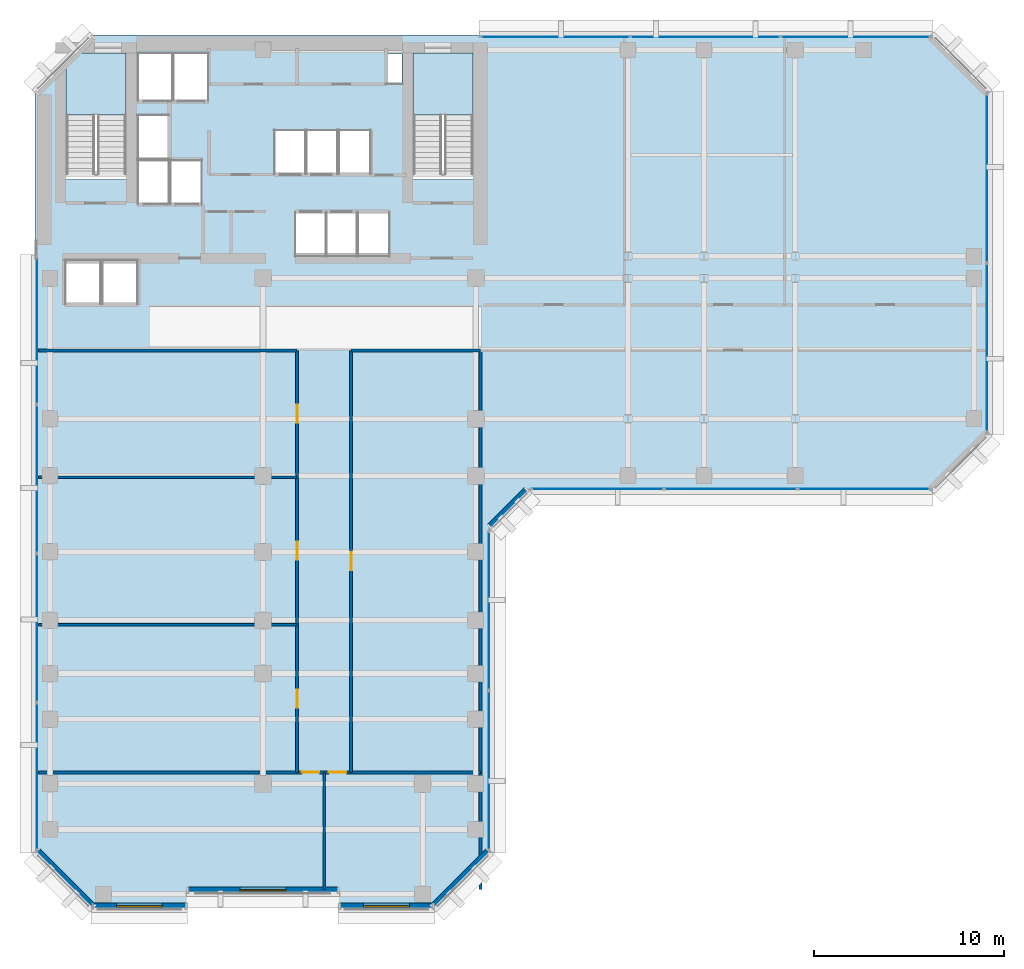
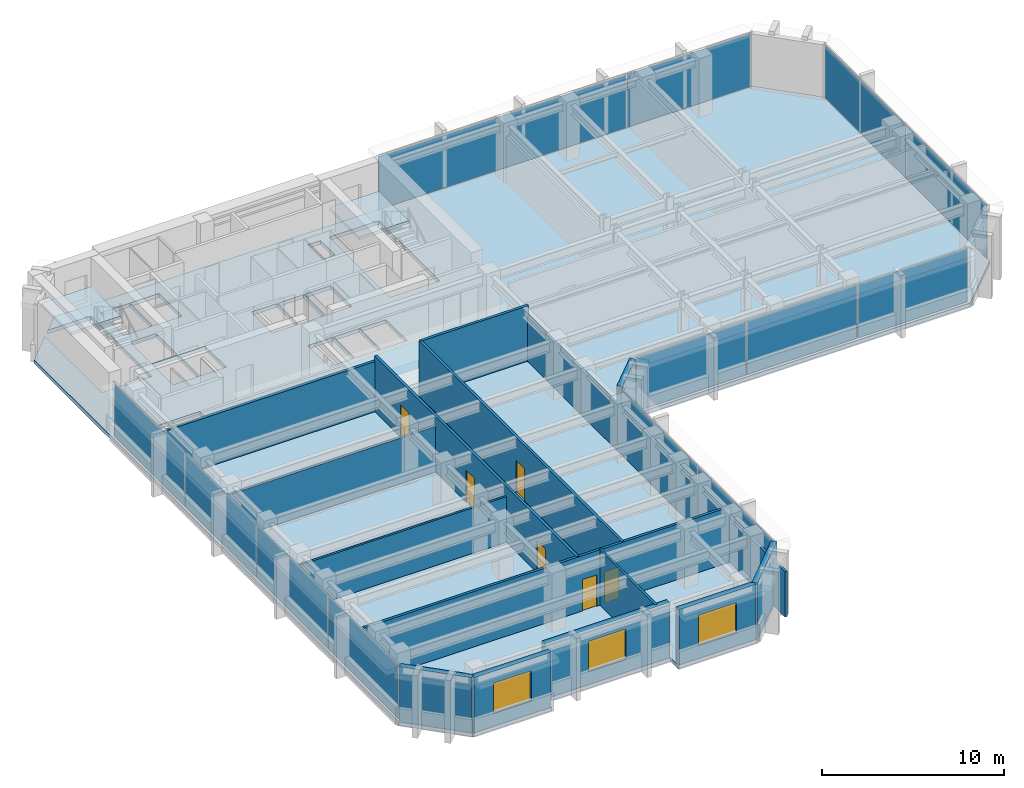
# One storey, part 6 of 11: 15 walls, 14 plates, 6 doors, 3 slabs, 3 windows, 9 openings, 7 elements without a shape of their own.
"""IFC4 building model written with IfcOpenShell, lengths in metres."""

from ifc_helpers import new_model, si_unit, direction, frame, frame_2d, origin, origin_2d, place, context, subcontext, project, spatial, polyline, rectangle, outline, extrude, material, layer, layer_set, type_object, element, fill, aggregate, save


model = new_model("IFC4")

# Units and contexts
model_context = context("Model", 3, precision=1e-05, world=origin(), true_north=direction((0.0, 1.0)))
body_context = subcontext(model_context, "Body", "Model", "MODEL_VIEW")
ifc_project = project(units=[si_unit("LENGTHUNIT", "METRE"), si_unit("AREAUNIT", "SQUARE_METRE"), si_unit("VOLUMEUNIT", "CUBIC_METRE"), si_unit("PLANEANGLEUNIT", "RADIAN"), si_unit("MASSUNIT", "GRAM", prefix="KILO")], contexts=[model_context])

# Site, building, storey
site_placement = place(None, origin())
site = spatial("IfcSite", under=ifc_project, at=site_placement, CompositionType="ELEMENT")
building_placement = place(site_placement, origin())
building = spatial("IfcBuilding", under=site, at=building_placement, Name="Kefirva Bronze Tower", CompositionType="ELEMENT")
storey_placement = place(building_placement, frame((0.0, 0.0, 162.68994140625)))
storey = spatial("IfcBuildingStorey", under=building, at=storey_placement, Name="L39", CompositionType="ELEMENT", Elevation=162.68994140625)

# Stair, slab
ifc_material_1 = material(Name="Concrete C40/50", Category="concrete")
stair_type = type_object("IfcStairType", Name="RC Dogleg Protected Stair 24R", PredefinedType="HALF_TURN_STAIR", material=ifc_material_1)
stair_1_placement = place(storey_placement, origin())
stair_1 = element("IfcStair", 1, at=stair_1_placement, inside=storey, type_object=stair_type, Name="L39 Protected Exit Stair 1", PredefinedType="HALF_TURN_STAIR")
ifc_layer_1 = layer(ifc_material_1, 0.199951171875, Name="Concrete C40/50")
ifc_layer_set_1 = layer_set([ifc_layer_1], Name="Concrete C40/50")
slab_type_1 = type_object("IfcSlabType", Name="RC Stair Landing Slab 200mm", PredefinedType="LANDING", material=ifc_layer_set_1)
slab_1_placement = place(storey_placement, frame((0.0, 0.0, 1.780029296875)))
slab_1 = element("IfcSlab", 2, at=slab_1_placement, type_object=slab_type_1, Name="ST-1 landing 1", PredefinedType="LANDING", context=body_context, shape_type="SweptSolid", body=[
    extrude(outline(polyline([(4.800048828125, 41.780029296875), (4.800048828125, 45.050048828125), (1.64990234375, 45.050048828125), (1.64990234375, 41.780029296875), (4.800048828125, 41.780029296875)])), origin(), (0.0, 0.0, 1.0), 0.199951171875),
])
aggregate(stair_1, [slab_1])

stair_2_placement = place(storey_placement, origin())
stair_2 = element("IfcStair", 3, at=stair_2_placement, inside=storey, type_object=stair_type, Name="L39 Protected Exit Stair 2", PredefinedType="HALF_TURN_STAIR")
slab_2_placement = place(storey_placement, frame((0.0, 0.0, 1.780029296875)))
slab_2 = element("IfcSlab", 4, at=slab_2_placement, type_object=slab_type_1, Name="ST-2 landing 1", PredefinedType="LANDING", context=body_context, shape_type="SweptSolid", body=[
    extrude(outline(polyline([(23.050048828125, 41.780029296875), (23.050048828125, 45.050048828125), (19.89990234375, 45.050048828125), (19.89990234375, 41.780029296875), (23.050048828125, 41.780029296875)])), origin(), (0.0, 0.0, 1.0), 0.199951171875),
])
aggregate(stair_2, [slab_2])

# Slab
ifc_layer_2 = layer(ifc_material_1, 0.25, Name="Concrete C40/50")
ifc_layer_set_2 = layer_set([ifc_layer_2], Name="Concrete C40/50")
slab_type_2 = type_object("IfcSlabType", Name="RC Tower Floor Slab 250mm", PredefinedType="FLOOR", material=ifc_layer_set_2)
slab_3_placement = place(storey_placement, frame((0.0, 0.0, -0.25)))
element("IfcSlab", 5, at=slab_3_placement, inside=storey, type_object=slab_type_2, Name="L39 Structural Floor Slab", PredefinedType="FLOOR", context=body_context, shape_type="SweptSolid", body=[
    extrude(outline(polyline([(0.0, 3.0), (0.0, 43.0), (1.64990234375, 44.64990234375), (1.64990234375, 38.39990234375), (4.800048828125, 38.39990234375), (4.800048828125, 45.050048828125), (2.050048828125, 45.050048828125), (3.0, 46.0), (47.199951171875, 46.0), (50.199951171875, 43.0), (50.199951171875, 25.0), (47.199951171875, 22.0), (26.0, 22.0), (24.0, 20.0), (24.0, 3.0), (21.0, 0.0), (16.0, 0.0), (16.0, 0.85009765625), (8.0, 0.85009765625), (8.0, 0.0), (3.0, 0.0), (0.0, 3.0)]), holes=[polyline([(23.050048828125, 38.39990234375), (23.050048828125, 45.050048828125), (19.89990234375, 45.050048828125), (19.89990234375, 38.39990234375), (23.050048828125, 38.39990234375)]), polyline([(19.320068359375, 43.419921875), (19.320068359375, 45.0), (18.52001953125, 45.0), (18.52001953125, 43.419921875), (19.320068359375, 43.419921875)]), polyline([(18.64990234375, 34.35009765625), (18.64990234375, 36.64990234375), (17.0, 36.64990234375), (17.0, 34.35009765625), (18.64990234375, 34.35009765625)]), polyline([(17.64990234375, 38.679931640625), (17.64990234375, 40.97998046875), (16.0, 40.97998046875), (16.0, 38.679931640625), (17.64990234375, 38.679931640625)]), polyline([(16.949951171875, 34.35009765625), (16.949951171875, 36.64990234375), (15.35009765625, 36.64990234375), (15.35009765625, 34.35009765625), (16.949951171875, 34.35009765625)]), polyline([(15.929931640625, 38.679931640625), (15.929931640625, 40.97998046875), (14.300048828125, 40.97998046875), (14.300048828125, 38.679931640625), (15.929931640625, 38.679931640625)]), polyline([(15.300048828125, 34.35009765625), (15.300048828125, 36.64990234375), (13.699951171875, 36.64990234375), (13.699951171875, 34.35009765625), (15.300048828125, 34.35009765625)]), polyline([(14.22998046875, 38.679931640625), (14.22998046875, 40.97998046875), (12.60009765625, 40.97998046875), (12.60009765625, 38.679931640625), (14.22998046875, 38.679931640625)]), polyline([(9.1201171875, 42.550048828125), (9.1201171875, 45.050048828125), (7.300048828125, 45.050048828125), (7.300048828125, 42.550048828125), (9.1201171875, 42.550048828125)]), polyline([(8.780029296875, 37.10009765625), (8.780029296875, 39.39990234375), (7.139892578125, 39.39990234375), (7.139892578125, 37.10009765625), (8.780029296875, 37.10009765625)]), polyline([(7.239990234375, 42.550048828125), (7.239990234375, 45.050048828125), (5.419921875, 45.050048828125), (5.419921875, 42.550048828125), (7.239990234375, 42.550048828125)]), polyline([(7.06005859375, 37.10009765625), (7.06005859375, 39.39990234375), (5.419921875, 39.39990234375), (5.419921875, 37.10009765625), (7.06005859375, 37.10009765625)]), polyline([(7.06005859375, 39.47998046875), (7.06005859375, 41.780029296875), (5.419921875, 41.780029296875), (5.419921875, 39.47998046875), (7.06005859375, 39.47998046875)]), polyline([(5.39990234375, 31.85009765625), (5.39990234375, 34.14990234375), (3.550048828125, 34.14990234375), (3.550048828125, 31.85009765625), (5.39990234375, 31.85009765625)]), polyline([(3.449951171875, 31.85009765625), (3.449951171875, 34.14990234375), (1.60009765625, 34.14990234375), (1.60009765625, 31.85009765625), (3.449951171875, 31.85009765625)])]), origin(), (0.0, 0.0, 1.0), 0.25),
])

# Curtain wall, plates
ifc_material_2 = material(Name="Bronze anodised aluminium", Category="aluminium")
ifc_layer_3 = layer(ifc_material_2, 0.199951171875, Name="Bronze anodised aluminium")
ifc_layer_set_3 = layer_set([ifc_layer_3], Name="Bronze anodised aluminium")
curtain_wall_type = type_object("IfcCurtainWallType", Name="Unitised Bronze Ribbon Curtain Wall Zone 2", PredefinedType="USERDEFINED", material=ifc_layer_set_3)
curtain_wall_1_placement = place(storey_placement, origin())
curtain_wall_1 = element("IfcCurtainWall", 6, at=curtain_wall_1_placement, inside=storey, type_object=curtain_wall_type, Name="L39 Curtain Wall 1", ObjectType="UNITISED CURTAIN WALL", PredefinedType="USERDEFINED")
ifc_material_3 = material(Name="Laminated low-E double glazing", Category="glass")
ifc_layer_4 = layer(ifc_material_3, 0.031982421875, Name="Laminated low-E double glazing")
ifc_layer_set_4 = layer_set([ifc_layer_4], Name="Laminated low-E double glazing")
plate_type = type_object("IfcPlateType", Name="Solar-Control Low-E Vision Panel 32mm", PredefinedType="CURTAIN_PANEL", material=ifc_layer_set_4)
plate_1_placement = place(storey_placement, frame((23.8798828125, 7.296142578125, 0.074951171875), z_axis=(0.0, 0.0, 1.0), x_axis=(0.0, 1.0, 0.0)))
plate_1 = element("IfcPlate", 7, at=plate_1_placement, type_object=plate_type, Name="CW-02 panel 1.1", PredefinedType="CURTAIN_PANEL", context=body_context, shape_type="SweptSolid", body=[
    extrude(rectangle(XDim=8.33251953125, YDim=0.031982421875, at=origin_2d()), origin(), (0.0, 0.0, 1.0), 3.56005859375),
])
plate_2_placement = place(storey_placement, frame((23.8798828125, 15.703857421875, 0.074951171875), z_axis=(0.0, 0.0, 1.0), x_axis=(0.0, 1.0, 0.0)))
plate_2 = element("IfcPlate", 8, at=plate_2_placement, type_object=plate_type, Name="CW-02 panel 2.1", PredefinedType="CURTAIN_PANEL", context=body_context, shape_type="SweptSolid", body=[
    extrude(rectangle(XDim=8.33251953125, YDim=0.031982421875, at=origin_2d()), origin(), (0.0, 0.0, 1.0), 3.56005859375),
])
aggregate(curtain_wall_1, [plate_1, plate_2])

curtain_wall_2_placement = place(storey_placement, origin())
curtain_wall_2 = element("IfcCurtainWall", 9, at=curtain_wall_2_placement, inside=storey, type_object=curtain_wall_type, Name="L39 Curtain Wall 2", ObjectType="UNITISED CURTAIN WALL", PredefinedType="USERDEFINED")
plate_3_placement = place(storey_placement, frame((29.5888671875, 22.1201171875, 0.074951171875), z_axis=(0.0, 0.0, 1.0), x_axis=(1.0, 0.0, 0.0)))
plate_3 = element("IfcPlate", 10, at=plate_3_placement, type_object=plate_type, Name="CW-02 panel 1.1", PredefinedType="CURTAIN_PANEL", context=body_context, shape_type="SweptSolid", body=[
    extrude(rectangle(XDim=6.91748046875, YDim=0.031982421875, at=origin_2d()), origin(), (0.0, 0.0, 1.0), 3.56005859375),
])
plate_4_placement = place(storey_placement, frame((36.60009765625, 22.1201171875, 0.074951171875), z_axis=(0.0, 0.0, 1.0), x_axis=(1.0, 0.0, 0.0)))
plate_4 = element("IfcPlate", 11, at=plate_4_placement, type_object=plate_type, Name="CW-02 panel 2.1", PredefinedType="CURTAIN_PANEL", context=body_context, shape_type="SweptSolid", body=[
    extrude(rectangle(XDim=6.955078125, YDim=0.031982421875, at=origin_2d()), origin(), (0.0, 0.0, 1.0), 3.56005859375),
])
plate_5_placement = place(storey_placement, frame((43.611328125, 22.1201171875, 0.074951171875), z_axis=(0.0, 0.0, 1.0), x_axis=(1.0, 0.0, 0.0)))
plate_5 = element("IfcPlate", 12, at=plate_5_placement, type_object=plate_type, Name="CW-02 panel 3.1", PredefinedType="CURTAIN_PANEL", context=body_context, shape_type="SweptSolid", body=[
    extrude(rectangle(XDim=6.91748046875, YDim=0.031982421875, at=origin_2d()), origin(), (0.0, 0.0, 1.0), 3.56005859375),
])
aggregate(curtain_wall_2, [plate_3, plate_4, plate_5])

curtain_wall_3_placement = place(storey_placement, origin())
curtain_wall_3 = element("IfcCurtainWall", 13, at=curtain_wall_3_placement, inside=storey, type_object=curtain_wall_type, Name="L39 Curtain Wall 3", ObjectType="UNITISED CURTAIN WALL", PredefinedType="USERDEFINED")
plate_6_placement = place(storey_placement, frame((50.080078125, 29.546142578125, 0.074951171875), z_axis=(0.0, 0.0, 1.0), x_axis=(0.0, 1.0, 0.0)))
plate_6 = element("IfcPlate", 14, at=plate_6_placement, type_object=plate_type, Name="CW-02 panel 1.1", PredefinedType="CURTAIN_PANEL", context=body_context, shape_type="SweptSolid", body=[
    extrude(rectangle(XDim=8.83251953125, YDim=0.031982421875, at=origin_2d()), origin(), (0.0, 0.0, 1.0), 3.56005859375),
])
plate_7_placement = place(storey_placement, frame((50.080078125, 38.453857421875, 0.074951171875), z_axis=(0.0, 0.0, 1.0), x_axis=(0.0, 1.0, 0.0)))
plate_7 = element("IfcPlate", 15, at=plate_7_placement, type_object=plate_type, Name="CW-02 panel 2.1", PredefinedType="CURTAIN_PANEL", context=body_context, shape_type="SweptSolid", body=[
    extrude(rectangle(XDim=8.83251953125, YDim=0.031982421875, at=origin_2d()), origin(), (0.0, 0.0, 1.0), 3.56005859375),
])
aggregate(curtain_wall_3, [plate_6, plate_7])

curtain_wall_4_placement = place(storey_placement, origin())
curtain_wall_4 = element("IfcCurtainWall", 16, at=curtain_wall_4_placement, inside=storey, type_object=curtain_wall_type, Name="L39 Curtain Wall 4", ObjectType="UNITISED CURTAIN WALL", PredefinedType="USERDEFINED")
plate_8_placement = place(storey_placement, frame((43.169677734375, 45.8798828125, 0.074951171875), z_axis=(0.0, 0.0, 1.0), x_axis=(-1.0, 0.0, 0.0)))
plate_8 = element("IfcPlate", 17, at=plate_8_placement, type_object=plate_type, Name="CW-02 panel 1.1", PredefinedType="CURTAIN_PANEL", context=body_context, shape_type="SweptSolid", body=[
    extrude(rectangle(XDim=7.80078125, YDim=0.031982421875, at=origin_2d()), origin(), (0.0, 0.0, 1.0), 3.56005859375),
])
plate_9_placement = place(storey_placement, frame((35.27490234375, 45.8798828125, 0.074951171875), z_axis=(0.0, 0.0, 1.0), x_axis=(-1.0, 0.0, 0.0)))
plate_9 = element("IfcPlate", 18, at=plate_9_placement, type_object=plate_type, Name="CW-02 panel 2.1", PredefinedType="CURTAIN_PANEL", context=body_context, shape_type="SweptSolid", body=[
    extrude(rectangle(XDim=7.83837890625, YDim=0.031982421875, at=origin_2d()), origin(), (0.0, 0.0, 1.0), 3.56005859375),
])
plate_10_placement = place(storey_placement, frame((27.38037109375, 45.8798828125, 0.074951171875), z_axis=(0.0, 0.0, 1.0), x_axis=(-1.0, 0.0, 0.0)))
plate_10 = element("IfcPlate", 19, at=plate_10_placement, type_object=plate_type, Name="CW-02 panel 3.1", PredefinedType="CURTAIN_PANEL", context=body_context, shape_type="SweptSolid", body=[
    extrude(rectangle(XDim=7.80078125, YDim=0.031982421875, at=origin_2d()), origin(), (0.0, 0.0, 1.0), 3.56005859375),
])
aggregate(curtain_wall_4, [plate_8, plate_9, plate_10])

curtain_wall_5_placement = place(storey_placement, origin())
curtain_wall_5 = element("IfcCurtainWall", 20, at=curtain_wall_5_placement, inside=storey, type_object=curtain_wall_type, Name="L39 Curtain Wall 5", ObjectType="UNITISED CURTAIN WALL", PredefinedType="USERDEFINED")
plate_11_placement = place(storey_placement, frame((0.1201171875, 30.458740234375, 0.074951171875), z_axis=(0.0, 0.0, 1.0), x_axis=(0.0, -1.0, 0.0)))
plate_11 = element("IfcPlate", 21, at=plate_11_placement, type_object=plate_type, Name="CW-02 panel 1.1", PredefinedType="CURTAIN_PANEL", context=body_context, shape_type="SweptSolid", body=[
    extrude(rectangle(XDim=7.722412109375, YDim=0.031982421875, at=origin_2d()), origin(), (0.0, 0.0, 1.0), 3.56005859375),
])
plate_12_placement = place(storey_placement, frame((0.1201171875, 22.642578125, 0.074951171875), z_axis=(0.0, 0.0, 1.0), x_axis=(0.0, -1.0, 0.0)))
plate_12 = element("IfcPlate", 22, at=plate_12_placement, type_object=plate_type, Name="CW-02 panel 2.1", PredefinedType="CURTAIN_PANEL", context=body_context, shape_type="SweptSolid", body=[
    extrude(rectangle(XDim=7.760009765625, YDim=0.031982421875, at=origin_2d()), origin(), (0.0, 0.0, 1.0), 3.56005859375),
])
plate_13_placement = place(storey_placement, frame((0.1201171875, 14.8076171875, 0.074951171875), z_axis=(0.0, 0.0, 1.0), x_axis=(0.0, -1.0, 0.0)))
plate_13 = element("IfcPlate", 23, at=plate_13_placement, type_object=plate_type, Name="CW-02 panel 3.1", PredefinedType="CURTAIN_PANEL", context=body_context, shape_type="SweptSolid", body=[
    extrude(rectangle(XDim=7.760009765625, YDim=0.031982421875, at=origin_2d()), origin(), (0.0, 0.0, 1.0), 3.56005859375),
])
plate_14_placement = place(storey_placement, frame((0.1201171875, 6.9912109375, 0.074951171875), z_axis=(0.0, 0.0, 1.0), x_axis=(0.0, -1.0, 0.0)))
plate_14 = element("IfcPlate", 24, at=plate_14_placement, type_object=plate_type, Name="CW-02 panel 4.1", PredefinedType="CURTAIN_PANEL", context=body_context, shape_type="SweptSolid", body=[
    extrude(rectangle(XDim=7.722412109375, YDim=0.031982421875, at=origin_2d()), origin(), (0.0, 0.0, 1.0), 3.56005859375),
])
aggregate(curtain_wall_5, [plate_11, plate_12, plate_13, plate_14])

# Walls
ifc_material_4 = material(Name="Gypsum acoustic partition")
ifc_layer_5 = layer(ifc_material_4, 0.1298828125, Name="Gypsum acoustic partition")
ifc_layer_set_5 = layer_set([ifc_layer_5], Name="Gypsum acoustic partition")
wall_type_1 = type_object("IfcWallType", Name="Acoustic Office Partition 130mm", PredefinedType="PARTITIONING", material=ifc_layer_set_5)
wall_1_placement = place(storey_placement, frame((15.219970703125, 1.0400390625, 0.0), z_axis=(0.0, 0.0, 1.0), x_axis=(0.0, 1.0, 0.0)))
element("IfcWall", 25, at=wall_1_placement, inside=storey, type_object=wall_type_1, Name="L39 Partition W-L39-CAPDV", PredefinedType="PARTITIONING", context=body_context, shape_type="SweptSolid", body=[
    extrude(rectangle(XDim=6.159912109375, YDim=0.1298828125, at=frame_2d((3.080078125, 0.0))), origin(), (0.0, 0.0, 1.0), 3.7099609375),
])
for number, where, z_axis, x_axis, name in (
    (26, (0.18994140625, 14.969970703125, 0.0), (0.0, 0.0, 1.0), (1.0, 0.0, 0.0), "L39 Partition W-L39-SWD1"),
    (27, (0.18994140625, 22.739990234375, 0.0), (0.0, 0.0, 1.0), (1.0, 0.0, 0.0), "L39 Partition W-L39-SWD2"),
):
    element("IfcWall", number, at=place(storey_placement, frame(where, z_axis=z_axis, x_axis=x_axis)), inside=storey, type_object=wall_type_1, Name=name, PredefinedType="PARTITIONING", context=body_context, shape_type="SweptSolid", body=[
        extrude(rectangle(XDim=13.610107421875, YDim=0.1298828125, at=frame_2d((6.80517578125, 0.0))), origin(), (0.0, 0.0, 1.0), 3.045166015625),
    ])

# Wall, opening, window
ifc_material_5 = material(Name="Precast concrete C40/50", Category="concrete")
ifc_layer_6 = layer(ifc_material_5, 0.320068359375, Name="Precast concrete C40/50")
ifc_layer_set_6 = layer_set([ifc_layer_6], Name="Precast concrete C40/50")
wall_type_2 = type_object("IfcWallType", Name="Precast Insulated Exterior Wall 320mm", PredefinedType="SOLIDWALL", material=ifc_layer_set_6)
wall_2_placement = place(storey_placement, frame((3.054931640625, 0.159912109375, 0.0), z_axis=(0.0, 0.0, 1.0), x_axis=(1.0, 0.0, 0.0)))
wall_2 = element("IfcWall", 28, at=wall_2_placement, inside=storey, type_object=wall_type_2, Name="L39 Exterior Facade Wall 1", PredefinedType="SOLIDWALL", context=body_context, shape_type="SweptSolid", body=[
    extrude(rectangle(XDim=4.89013671875, YDim=0.320068359375, at=frame_2d((2.445068359375, 0.0))), origin(), (0.0, 0.0, 1.0), 3.7099609375),
])
opening_1_placement = place(wall_2_placement, frame((1.2451171875, 0.0, 0.85009765625)))
opening_1 = element("IfcOpeningElement", 29, at=opening_1_placement, cuts=wall_2, Name="Opening WN-01", PredefinedType="OPENING", context=body_context, shape_type="SweptSolid", body=[
    extrude(rectangle(XDim=2.39990234375, YDim=2.050048828125, at=frame_2d((1.199951171875, 1.02490234375))), frame((0.0, 0.169921875, 0.0), z_axis=(0.0, -1.0, 0.0), x_axis=(1.0, 0.0, 0.0)), (0.0, 0.0, 1.0), 0.340087890625),
])
window_type = type_object("IfcWindowType", Name="Streamline Ribbon Window 2400x2050", PartitioningType="SINGLE_PANEL", PredefinedType="WINDOW", material=ifc_material_3)
window_1_placement = place(opening_1_placement, origin())
window_1 = element("IfcWindow", 30, at=window_1_placement, inside=storey, type_object=window_type, Name="L39 Ribbon Window 1", OverallHeight=2.050048828125, OverallWidth=2.39990234375, PartitioningType="SINGLE_PANEL", PredefinedType="WINDOW", context=body_context, shape_type="SweptSolid", body=[
    extrude(rectangle(XDim=2.39990234375, YDim=2.050048828125, at=frame_2d((1.199951171875, 1.02490234375))), frame((0.0, 0.030029296875, 0.0), z_axis=(0.0, -1.0, 0.0), x_axis=(1.0, 0.0, 0.0)), (0.0, 0.0, 1.0), 0.06005859375),
])
fill(opening_1, window_1)

wall_3_placement = place(storey_placement, frame((8.054931640625, 1.010009765625, 0.0), z_axis=(0.0, 0.0, 1.0), x_axis=(1.0, 0.0, 0.0)))
wall_3 = element("IfcWall", 31, at=wall_3_placement, inside=storey, type_object=wall_type_2, Name="L39 Exterior Facade Wall 2", PredefinedType="SOLIDWALL", context=body_context, shape_type="SweptSolid", body=[
    extrude(rectangle(XDim=7.89013671875, YDim=0.320068359375, at=frame_2d((3.945068359375, 0.0))), origin(), (0.0, 0.0, 1.0), 3.7099609375),
])
opening_2_placement = place(wall_3_placement, frame((2.7451171875, 0.0, 0.85009765625)))
opening_2 = element("IfcOpeningElement", 32, at=opening_2_placement, cuts=wall_3, Name="Opening WN-01", PredefinedType="OPENING", context=body_context, shape_type="SweptSolid", body=[
    extrude(rectangle(XDim=2.39990234375, YDim=2.050048828125, at=frame_2d((1.199951171875, 1.02490234375))), frame((0.0, 0.169921875, 0.0), z_axis=(0.0, -1.0, 0.0), x_axis=(1.0, 0.0, 0.0)), (0.0, 0.0, 1.0), 0.340087890625),
])
window_2_placement = place(opening_2_placement, origin())
window_2 = element("IfcWindow", 33, at=window_2_placement, inside=storey, type_object=window_type, Name="L39 Ribbon Window 2", OverallHeight=2.050048828125, OverallWidth=2.39990234375, PartitioningType="SINGLE_PANEL", PredefinedType="WINDOW", context=body_context, shape_type="SweptSolid", body=[
    extrude(rectangle(XDim=2.39990234375, YDim=2.050048828125, at=frame_2d((1.199951171875, 1.02490234375))), frame((0.0, 0.030029296875, 0.0), z_axis=(0.0, -1.0, 0.0), x_axis=(1.0, 0.0, 0.0)), (0.0, 0.0, 1.0), 0.06005859375),
])
fill(opening_2, window_2)

wall_4_placement = place(storey_placement, frame((16.054931640625, 0.159912109375, 0.0), z_axis=(0.0, 0.0, 1.0), x_axis=(1.0, 0.0, 0.0)))
wall_4 = element("IfcWall", 34, at=wall_4_placement, inside=storey, type_object=wall_type_2, Name="L39 Exterior Facade Wall 3", PredefinedType="SOLIDWALL", context=body_context, shape_type="SweptSolid", body=[
    extrude(rectangle(XDim=4.89013671875, YDim=0.320068359375, at=frame_2d((2.445068359375, 0.0))), origin(), (0.0, 0.0, 1.0), 3.7099609375),
])
opening_3_placement = place(wall_4_placement, frame((1.2451171875, 0.0, 0.85009765625)))
opening_3 = element("IfcOpeningElement", 35, at=opening_3_placement, cuts=wall_4, Name="Opening WN-01", PredefinedType="OPENING", context=body_context, shape_type="SweptSolid", body=[
    extrude(rectangle(XDim=2.39990234375, YDim=2.050048828125, at=frame_2d((1.199951171875, 1.02490234375))), frame((0.0, 0.169921875, 0.0), z_axis=(0.0, -1.0, 0.0), x_axis=(1.0, 0.0, 0.0)), (0.0, 0.0, 1.0), 0.340087890625),
])
window_3_placement = place(opening_3_placement, origin())
window_3 = element("IfcWindow", 36, at=window_3_placement, inside=storey, type_object=window_type, Name="L39 Ribbon Window 3", OverallHeight=2.050048828125, OverallWidth=2.39990234375, PartitioningType="SINGLE_PANEL", PredefinedType="WINDOW", context=body_context, shape_type="SweptSolid", body=[
    extrude(rectangle(XDim=2.39990234375, YDim=2.050048828125, at=frame_2d((1.199951171875, 1.02490234375))), frame((0.0, 0.030029296875, 0.0), z_axis=(0.0, -1.0, 0.0), x_axis=(1.0, 0.0, 0.0)), (0.0, 0.0, 1.0), 0.06005859375),
])
fill(opening_3, window_3)

# Walls
wall_5_placement = place(storey_placement, frame((20.92578125, 0.152099609375, 0.0), z_axis=(0.0, 0.0, 1.0), x_axis=(0.707106781187, 0.707106781187, 0.0)))
element("IfcWall", 37, at=wall_5_placement, inside=storey, type_object=wall_type_2, Name="L39 Exterior Facade Wall 4", PredefinedType="SOLIDWALL", context=body_context, shape_type="SweptSolid", body=[
    extrude(rectangle(XDim=4.132568359375, YDim=0.320068359375, at=frame_2d((2.06640625, 0.0))), origin(), (0.0, 0.0, 1.0), 3.7099609375),
])
wall_6_placement = place(storey_placement, frame((23.92578125, 20.152099609375, 0.0), z_axis=(0.0, 0.0, 1.0), x_axis=(0.707106781187, 0.707106781187, 0.0)))
element("IfcWall", 38, at=wall_6_placement, inside=storey, type_object=wall_type_2, Name="L39 Exterior Facade Wall 5", PredefinedType="SOLIDWALL", context=body_context, shape_type="SweptSolid", body=[
    extrude(rectangle(XDim=2.71826171875, YDim=0.320068359375, at=frame_2d((1.359130859375, 0.0))), origin(), (0.0, 0.0, 1.0), 3.7099609375),
])
wall_7_placement = place(storey_placement, frame((0.152099609375, 3.07421875, 0.0), z_axis=(0.0, 0.0, 1.0), x_axis=(0.707106781187, -0.707106781187, 0.0)))
element("IfcWall", 39, at=wall_7_placement, inside=storey, type_object=wall_type_2, Name="L39 Exterior Facade Wall 9", PredefinedType="SOLIDWALL", context=body_context, shape_type="SweptSolid", body=[
    extrude(rectangle(XDim=4.132568359375, YDim=0.320068359375, at=frame_2d((2.06640625, 0.0))), origin(), (0.0, 0.0, 1.0), 3.7099609375),
])

# Wall, openings, doors
ifc_layer_7 = layer(ifc_material_4, 0.159912109375, Name="Gypsum acoustic partition")
ifc_layer_set_7 = layer_set([ifc_layer_7], Name="Gypsum acoustic partition")
wall_type_3 = type_object("IfcWallType", Name="Protected Corridor Partition 160mm", PredefinedType="PARTITIONING", material=ifc_layer_set_7)
wall_8_placement = place(storey_placement, frame((13.800048828125, 7.199951171875, 0.0), z_axis=(0.0, 0.0, 1.0), x_axis=(0.0, 1.0, 0.0)))
wall_8 = element("IfcWall", 40, at=wall_8_placement, inside=storey, type_object=wall_type_3, Name="L39 Partition W-L39-SWCORW", PredefinedType="PARTITIONING", context=body_context, shape_type="SweptSolid", body=[
    extrude(rectangle(XDim=22.199951171875, YDim=0.159912109375, at=frame_2d((11.10009765625, 0.0))), origin(), (0.0, 0.0, 1.0), 3.7099609375),
])
opening_4_placement = place(wall_8_placement, frame((4.35986328125, 0.0, 0.0), z_axis=(0.0, 0.0, 1.0), x_axis=(-1.0, 0.0, 0.0)))
opening_4 = element("IfcOpeningElement", 41, at=opening_4_placement, cuts=wall_8, Name="Opening L39-D-SW1", PredefinedType="OPENING", context=body_context, shape_type="SweptSolid", body=[
    extrude(rectangle(XDim=0.949951171875, YDim=2.14990234375, at=frame_2d((0.47509765625, 1.074951171875))), frame((0.0, 0.08984375, 0.0), z_axis=(0.0, -1.0, 0.0), x_axis=(1.0, 0.0, 0.0)), (0.0, 0.0, 1.0), 0.179931640625),
])
opening_5_placement = place(wall_8_placement, frame((12.1298828125, 0.0, 0.0), z_axis=(0.0, 0.0, 1.0), x_axis=(-1.0, 0.0, 0.0)))
opening_5 = element("IfcOpeningElement", 42, at=opening_5_placement, cuts=wall_8, Name="Opening L39-D-SW2", PredefinedType="OPENING", context=body_context, shape_type="SweptSolid", body=[
    extrude(rectangle(XDim=0.949951171875, YDim=2.14990234375, at=frame_2d((0.47509765625, 1.074951171875))), frame((0.0, 0.08984375, 0.0), z_axis=(0.0, -1.0, 0.0), x_axis=(1.0, 0.0, 0.0)), (0.0, 0.0, 1.0), 0.179931640625),
])
opening_6_placement = place(wall_8_placement, frame((19.344970703125, 0.0, 0.0), z_axis=(0.0, 0.0, 1.0), x_axis=(-1.0, 0.0, 0.0)))
opening_6 = element("IfcOpeningElement", 43, at=opening_6_placement, cuts=wall_8, Name="Opening L39-D-SW3", PredefinedType="OPENING", context=body_context, shape_type="SweptSolid", body=[
    extrude(rectangle(XDim=0.949951171875, YDim=2.14990234375, at=frame_2d((0.47509765625, 1.074951171875))), frame((0.0, 0.08984375, 0.0), z_axis=(0.0, -1.0, 0.0), x_axis=(1.0, 0.0, 0.0)), (0.0, 0.0, 1.0), 0.179931640625),
])
ifc_material_6 = material(Name="Acoustic hardwood oak", Category="wood")
door_type_1 = type_object("IfcDoorType", Name="Office & Meeting Room Door 950x2150", OperationType="NOTDEFINED", PredefinedType="DOOR", material=ifc_material_6)
door_1_placement = place(opening_4_placement, origin())
door_1 = element("IfcDoor", 44, at=door_1_placement, inside=storey, type_object=door_type_1, Name="Door L39-D-SW1", OperationType="SINGLE_SWING_LEFT", OverallHeight=2.14990234375, OverallWidth=0.949951171875, PredefinedType="DOOR", context=body_context, shape_type="SweptSolid", body=[
    extrude(rectangle(XDim=0.949951171875, YDim=2.14990234375, at=frame_2d((0.47509765625, 1.074951171875))), frame((0.0, 0.02490234375, 0.0), z_axis=(0.0, -1.0, 0.0), x_axis=(1.0, 0.0, 0.0)), (0.0, 0.0, 1.0), 0.050048828125),
])
fill(opening_4, door_1)
door_2_placement = place(opening_5_placement, origin())
door_2 = element("IfcDoor", 45, at=door_2_placement, inside=storey, type_object=door_type_1, Name="Door L39-D-SW2", OperationType="SINGLE_SWING_RIGHT", OverallHeight=2.14990234375, OverallWidth=0.949951171875, PredefinedType="DOOR", context=body_context, shape_type="SweptSolid", body=[
    extrude(rectangle(XDim=0.949951171875, YDim=2.14990234375, at=frame_2d((0.47509765625, 1.074951171875))), frame((0.0, 0.02490234375, 0.0), z_axis=(0.0, -1.0, 0.0), x_axis=(1.0, 0.0, 0.0)), (0.0, 0.0, 1.0), 0.050048828125),
])
fill(opening_5, door_2)
door_3_placement = place(opening_6_placement, origin())
door_3 = element("IfcDoor", 46, at=door_3_placement, inside=storey, type_object=door_type_1, Name="Door L39-D-SW3", OperationType="SINGLE_SWING_LEFT", OverallHeight=2.14990234375, OverallWidth=0.949951171875, PredefinedType="DOOR", context=body_context, shape_type="SweptSolid", body=[
    extrude(rectangle(XDim=0.949951171875, YDim=2.14990234375, at=frame_2d((0.47509765625, 1.074951171875))), frame((0.0, 0.02490234375, 0.0), z_axis=(0.0, -1.0, 0.0), x_axis=(1.0, 0.0, 0.0)), (0.0, 0.0, 1.0), 0.050048828125),
])
fill(opening_6, door_3)

# Wall, opening, door
wall_9_placement = place(storey_placement, frame((16.639892578125, 7.199951171875, 0.0), z_axis=(0.0, 0.0, 1.0), x_axis=(0.0, 1.0, 0.0)))
wall_9 = element("IfcWall", 47, at=wall_9_placement, inside=storey, type_object=wall_type_3, Name="L39 Partition W-L39-SECORE", PredefinedType="PARTITIONING", context=body_context, shape_type="SweptSolid", body=[
    extrude(rectangle(XDim=22.199951171875, YDim=0.159912109375, at=frame_2d((11.10009765625, 0.0))), origin(), (0.0, 0.0, 1.0), 3.7099609375),
])
opening_7_placement = place(wall_9_placement, frame((10.625, 0.0, 0.0)))
opening_7 = element("IfcOpeningElement", 48, at=opening_7_placement, cuts=wall_9, Name="Opening L39-D-SE1", PredefinedType="OPENING", context=body_context, shape_type="SweptSolid", body=[
    extrude(rectangle(XDim=0.949951171875, YDim=2.14990234375, at=frame_2d((0.47509765625, 1.074951171875))), frame((0.0, 0.08984375, 0.0), z_axis=(0.0, -1.0, 0.0), x_axis=(1.0, 0.0, 0.0)), (0.0, 0.0, 1.0), 0.179931640625),
])
door_4_placement = place(opening_7_placement, origin())
door_4 = element("IfcDoor", 49, at=door_4_placement, inside=storey, type_object=door_type_1, Name="Door L39-D-SE1", OperationType="SINGLE_SWING_RIGHT", OverallHeight=2.14990234375, OverallWidth=0.949951171875, PredefinedType="DOOR", context=body_context, shape_type="SweptSolid", body=[
    extrude(rectangle(XDim=0.949951171875, YDim=2.14990234375, at=frame_2d((0.47509765625, 1.074951171875))), frame((0.0, 0.02490234375, 0.0), z_axis=(0.0, -1.0, 0.0), x_axis=(1.0, 0.0, 0.0)), (0.0, 0.0, 1.0), 0.050048828125),
])
fill(opening_7, door_4)

# Wall, openings, doors
wall_10_placement = place(storey_placement, frame((0.18994140625, 7.199951171875, 0.0), z_axis=(0.0, 0.0, 1.0), x_axis=(1.0, 0.0, 0.0)))
wall_10 = element("IfcWall", 50, at=wall_10_placement, inside=storey, type_object=wall_type_3, Name="L39 Partition W-L39-SBEND", PredefinedType="PARTITIONING", context=body_context, shape_type="SweptSolid", body=[
    extrude(rectangle(XDim=23.260009765625, YDim=0.159912109375, at=frame_2d((11.6298828125, 0.0))), origin(), (0.0, 0.0, 1.0), 3.7099609375),
])
opening_8_placement = place(wall_10_placement, frame((13.860107421875, 0.0, 0.0)))
opening_8 = element("IfcOpeningElement", 51, at=opening_8_placement, cuts=wall_10, Name="Opening L39-D-SEND1", PredefinedType="OPENING", context=body_context, shape_type="SweptSolid", body=[
    extrude(rectangle(XDim=0.919921875, YDim=2.10009765625, at=frame_2d((0.4599609375, 1.050048828125))), frame((0.0, 0.08984375, 0.0), z_axis=(0.0, -1.0, 0.0), x_axis=(1.0, 0.0, 0.0)), (0.0, 0.0, 1.0), 0.179931640625),
])
opening_9_placement = place(wall_10_placement, frame((15.280029296875, 0.0, 0.0)))
opening_9 = element("IfcOpeningElement", 52, at=opening_9_placement, cuts=wall_10, Name="Opening L39-D-SEND2", PredefinedType="OPENING", context=body_context, shape_type="SweptSolid", body=[
    extrude(rectangle(XDim=0.919921875, YDim=2.10009765625, at=frame_2d((0.4599609375, 1.050048828125))), frame((0.0, 0.08984375, 0.0), z_axis=(0.0, -1.0, 0.0), x_axis=(1.0, 0.0, 0.0)), (0.0, 0.0, 1.0), 0.179931640625),
])
ifc_material_7 = material(Name="Moisture-resistant timber", Category="wood")
door_type_2 = type_object("IfcDoorType", Name="Accessible Sanitary & WC Door 920x2100", OperationType="NOTDEFINED", PredefinedType="DOOR", material=ifc_material_7)
door_5_placement = place(opening_8_placement, origin())
door_5 = element("IfcDoor", 53, at=door_5_placement, inside=storey, type_object=door_type_2, Name="Door L39-D-SEND1", OperationType="SINGLE_SWING_LEFT", OverallHeight=2.10009765625, OverallWidth=0.919921875, PredefinedType="DOOR", context=body_context, shape_type="SweptSolid", body=[
    extrude(rectangle(XDim=0.919921875, YDim=2.10009765625, at=frame_2d((0.4599609375, 1.050048828125))), frame((0.0, 0.02490234375, 0.0), z_axis=(0.0, -1.0, 0.0), x_axis=(1.0, 0.0, 0.0)), (0.0, 0.0, 1.0), 0.050048828125),
])
fill(opening_8, door_5)
door_6_placement = place(opening_9_placement, origin())
door_6 = element("IfcDoor", 54, at=door_6_placement, inside=storey, type_object=door_type_2, Name="Door L39-D-SEND2", OperationType="SINGLE_SWING_RIGHT", OverallHeight=2.10009765625, OverallWidth=0.919921875, PredefinedType="DOOR", context=body_context, shape_type="SweptSolid", body=[
    extrude(rectangle(XDim=0.919921875, YDim=2.10009765625, at=frame_2d((0.4599609375, 1.050048828125))), frame((0.0, 0.02490234375, 0.0), z_axis=(0.0, -1.0, 0.0), x_axis=(1.0, 0.0, 0.0)), (0.0, 0.0, 1.0), 0.050048828125),
])
fill(opening_9, door_6)

# Walls
wall_11_placement = place(storey_placement, frame((0.18994140625, 29.39990234375, 0.0), z_axis=(0.0, 0.0, 1.0), x_axis=(1.0, 0.0, 0.0)))
element("IfcWall", 55, at=wall_11_placement, inside=storey, type_object=wall_type_3, Name="L39 Partition W-L39-NWT", PredefinedType="PARTITIONING", context=body_context, shape_type="SweptSolid", body=[
    extrude(rectangle(XDim=13.610107421875, YDim=0.159912109375, at=frame_2d((6.80517578125, 0.0))), origin(), (0.0, 0.0, 1.0), 3.364990234375),
])
wall_12_placement = place(storey_placement, frame((16.639892578125, 29.39990234375, 0.0), z_axis=(0.0, 0.0, 1.0), x_axis=(1.0, 0.0, 0.0)))
element("IfcWall", 56, at=wall_12_placement, inside=storey, type_object=wall_type_3, Name="L39 Partition W-L39-NET", PredefinedType="PARTITIONING", context=body_context, shape_type="SweptSolid", body=[
    extrude(rectangle(XDim=6.81005859375, YDim=0.159912109375, at=frame_2d((3.405029296875, 0.0))), origin(), (0.0, 0.0, 1.0), 3.7099609375),
])
wall_13_placement = place(storey_placement, frame((23.449951171875, 1.0400390625, 0.0), z_axis=(0.0, 0.0, 1.0), x_axis=(0.0, 1.0, 0.0)))
element("IfcWall", 57, at=wall_13_placement, inside=storey, type_object=wall_type_3, Name="L39 Partition W-L39-SWEAST", PredefinedType="PARTITIONING", context=body_context, shape_type="SweptSolid", body=[
    extrude(rectangle(XDim=28.35986328125, YDim=0.159912109375, at=frame_2d((14.179931640625, 0.0))), origin(), (0.0, 0.0, 1.0), 3.045166015625),
])

save(model, "model.ifc")
